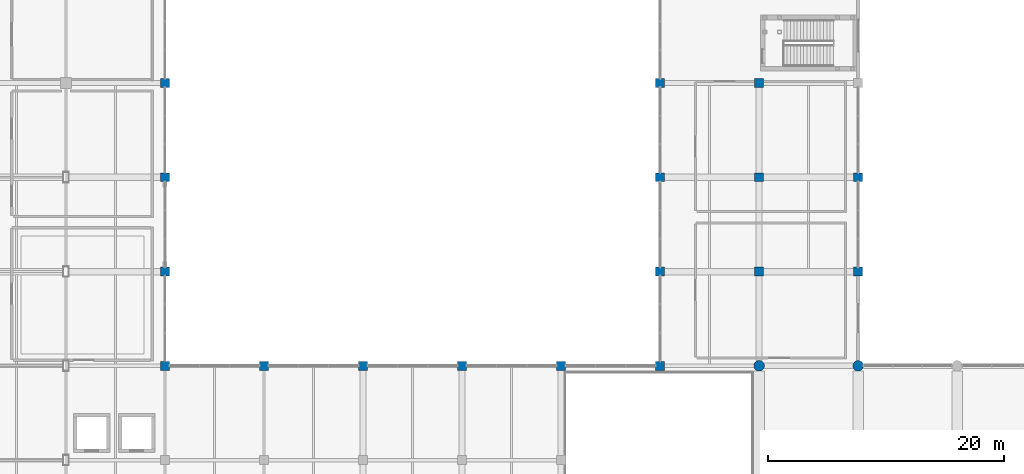
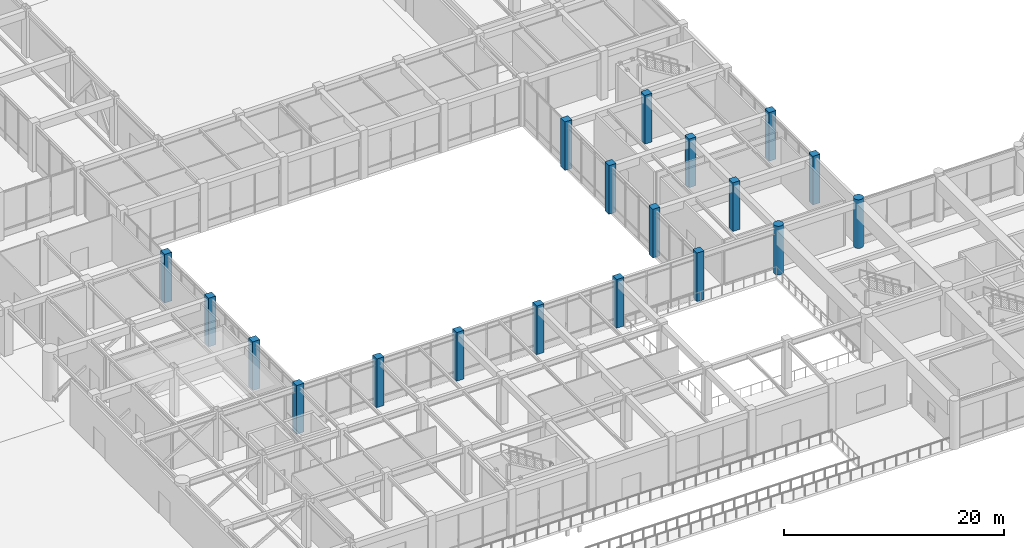
# One storey, part 7 of 79: 19 columns.
"""IFC4 building model written with IfcOpenShell, lengths in metres."""

from ifc_helpers import new_model, si_unit, direction, frame, origin, origin_2d, place, context, subcontext, project, spatial, rectangle, circle, extrude, material, material_profile, profile_set, type_object, element, save


model = new_model("IFC4")

# Units and contexts
model_context = context("Model", 3, precision=1e-05, world=origin(), true_north=direction((0.0, 1.0)))
body_context = subcontext(model_context, "Body", "Model", "MODEL_VIEW")
ifc_project = project(units=[si_unit("LENGTHUNIT", "METRE"), si_unit("AREAUNIT", "SQUARE_METRE"), si_unit("VOLUMEUNIT", "CUBIC_METRE"), si_unit("PLANEANGLEUNIT", "RADIAN"), si_unit("MASSUNIT", "GRAM", prefix="KILO")], contexts=[model_context])

# Site, building, storey
site_placement = place(None, origin())
site = spatial("IfcSite", under=ifc_project, at=site_placement, CompositionType="ELEMENT")
building_placement = place(site_placement, origin())
building = spatial("IfcBuilding", under=site, at=building_placement, Name="Naruveol Harbour Congress Hotel", CompositionType="ELEMENT")
storey_placement = place(building_placement, frame((0.0, 0.0, 6.0)))
storey = spatial("IfcBuildingStorey", under=building, at=storey_placement, Name="L01", CompositionType="ELEMENT", Elevation=6.0)

# Columns
ifc_material_1 = material(Name="Concrete C50/60", Category="concrete")
ifc_material_profile_1 = material_profile(ifc_material_1, circle(Radius=0.449951171875, at=origin_2d()), Name="RC-D900")
ifc_profile_set_1 = profile_set([ifc_material_profile_1], Name="Concrete C50/60")
column_type_1 = type_object("IfcColumnType", Name="RC HARBOUR PILOTIS D900", PredefinedType="COLUMN", material=ifc_profile_set_1)
for number, where, z_axis, x_axis, name in (
    (1, (117.60009765625, 32.0, 0.0), (0.0, 0.0, 1.0), (1.0, 0.0, 0.0), "Column C-PD900 L01 (117.6,32.0)"),
    (2, (126.0, 32.0, 0.0), (0.0, 0.0, 1.0), (1.0, 0.0, 0.0), "Column C-PD900 L01 (126.0,32.0)"),
):
    element("IfcColumn", number, at=place(storey_placement, frame(where, z_axis=z_axis, x_axis=x_axis)), inside=storey, type_object=column_type_1, Name=name, PredefinedType="COLUMN", context=body_context, shape_type="SweptSolid", body=[
        extrude(circle(Radius=0.449951171875, at=origin_2d()), origin(), (0.0, 0.0, 1.0), 5.39990234375),
    ])
ifc_material_2 = material(Name="Concrete C50/60", Category="concrete")
ifc_material_profile_2 = material_profile(ifc_material_2, rectangle(XDim=0.75, YDim=0.75, at=origin_2d()), Name="RC-750x750")
ifc_profile_set_2 = profile_set([ifc_material_profile_2], Name="Concrete C50/60")
column_type_2 = type_object("IfcColumnType", Name="RC WING COLUMN 750X750", PredefinedType="COLUMN", material=ifc_profile_set_2)
for number, where, z_axis, x_axis, name in (
    (3, (67.199951171875, 32.0, 0.0), (0.0, 0.0, 1.0), (1.0, 0.0, 0.0), "Column C-750 L01 (67.2,32.0)"),
    (4, (67.199951171875, 40.0, 0.0), (0.0, 0.0, 1.0), (1.0, 0.0, 0.0), "Column C-750 L01 (67.2,40.0)"),
    (5, (67.199951171875, 48.0, 0.0), (0.0, 0.0, 1.0), (1.0, 0.0, 0.0), "Column C-750 L01 (67.2,48.0)"),
    (6, (67.199951171875, 56.0, 0.0), (0.0, 0.0, 1.0), (1.0, 0.0, 0.0), "Column C-750 L01 (67.2,56.0)"),
    (7, (75.60009765625, 32.0, 0.0), (0.0, 0.0, 1.0), (1.0, 0.0, 0.0), "Column C-750 L01 (75.6,32.0)"),
    (8, (84.0, 32.0, 0.0), (0.0, 0.0, 1.0), (1.0, 0.0, 0.0), "Column C-750 L01 (84.0,32.0)"),
    (9, (92.39990234375, 32.0, 0.0), (0.0, 0.0, 1.0), (1.0, 0.0, 0.0), "Column C-750 L01 (92.4,32.0)"),
    (10, (100.800048828125, 32.0, 0.0), (0.0, 0.0, 1.0), (1.0, 0.0, 0.0), "Column C-750 L01 (100.8,32.0)"),
    (11, (109.199951171875, 32.0, 0.0), (0.0, 0.0, 1.0), (1.0, 0.0, 0.0), "Column C-750 L01 (109.2,32.0)"),
    (12, (109.199951171875, 40.0, 0.0), (0.0, 0.0, 1.0), (1.0, 0.0, 0.0), "Column C-750 L01 (109.2,40.0)"),
    (13, (109.199951171875, 48.0, 0.0), (0.0, 0.0, 1.0), (1.0, 0.0, 0.0), "Column C-750 L01 (109.2,48.0)"),
    (14, (109.199951171875, 56.0, 0.0), (0.0, 0.0, 1.0), (1.0, 0.0, 0.0), "Column C-750 L01 (109.2,56.0)"),
    (15, (117.60009765625, 40.0, 0.0), (0.0, 0.0, 1.0), (1.0, 0.0, 0.0), "Column C-750 L01 (117.6,40.0)"),
    (16, (117.60009765625, 48.0, 0.0), (0.0, 0.0, 1.0), (1.0, 0.0, 0.0), "Column C-750 L01 (117.6,48.0)"),
    (17, (117.60009765625, 56.0, 0.0), (0.0, 0.0, 1.0), (1.0, 0.0, 0.0), "Column C-750 L01 (117.6,56.0)"),
    (18, (126.0, 40.0, 0.0), (0.0, 0.0, 1.0), (1.0, 0.0, 0.0), "Column C-750 L01 (126.0,40.0)"),
    (19, (126.0, 48.0, 0.0), (0.0, 0.0, 1.0), (1.0, 0.0, 0.0), "Column C-750 L01 (126.0,48.0)"),
):
    element("IfcColumn", number, at=place(storey_placement, frame(where, z_axis=z_axis, x_axis=x_axis)), inside=storey, type_object=column_type_2, Name=name, PredefinedType="COLUMN", context=body_context, shape_type="SweptSolid", body=[
        extrude(rectangle(XDim=0.75, YDim=0.75, at=origin_2d()), origin(), (0.0, 0.0, 1.0), 5.39990234375),
    ])

save(model, "model.ifc")
